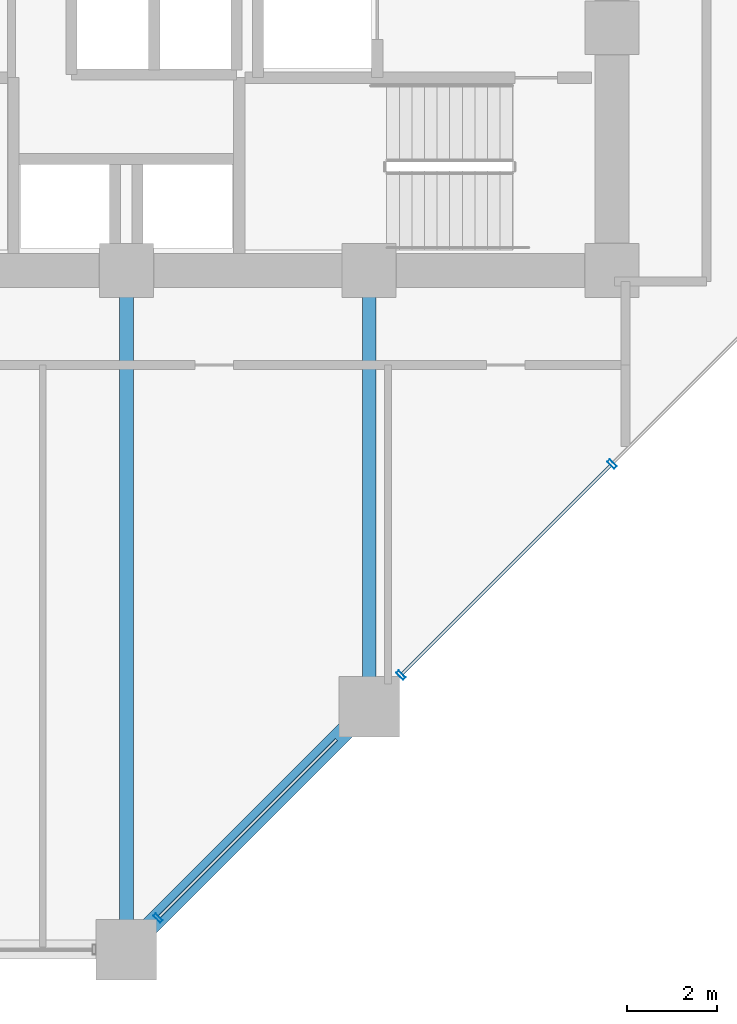
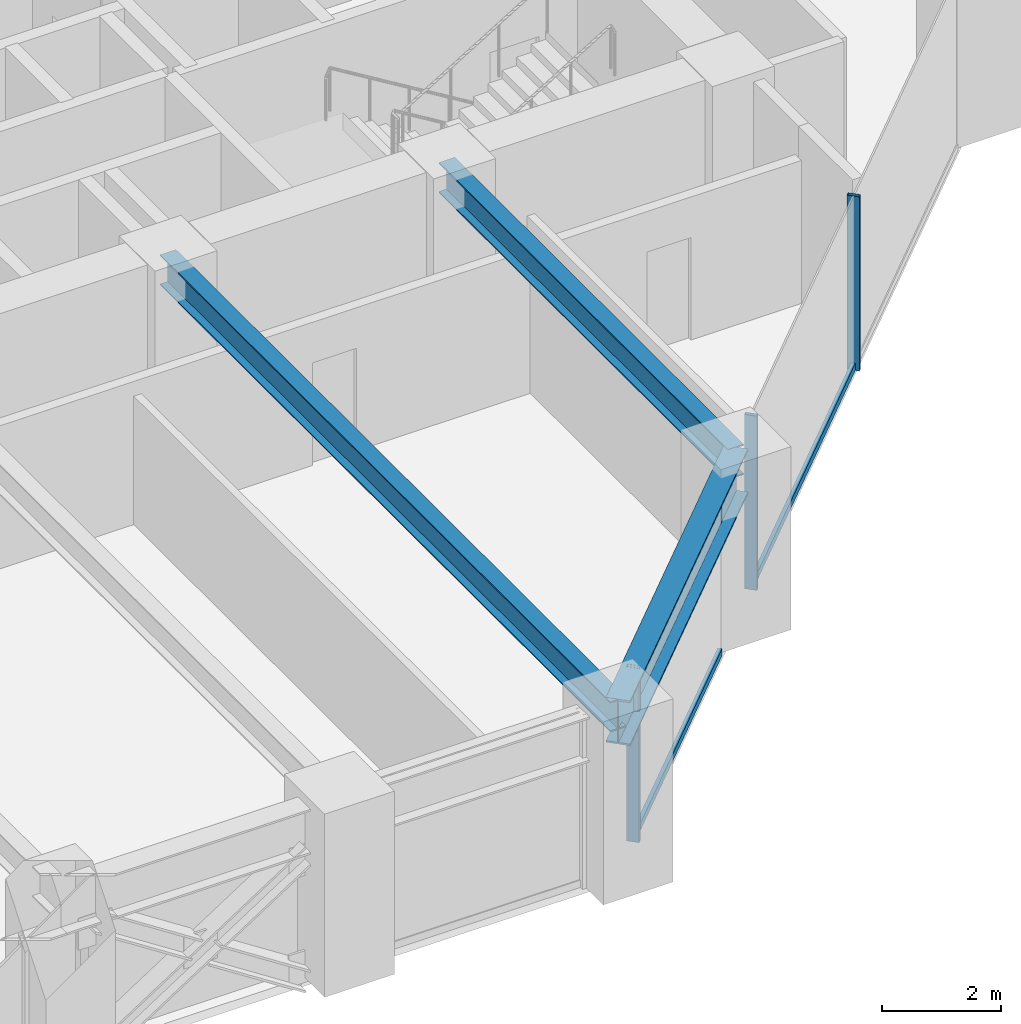
# One storey, part 7 of 25: 5 members, 3 beams, 1 element without a shape of its own.
"""IFC4 building model written with IfcOpenShell, lengths in metres."""

from ifc_helpers import new_model, si_unit, direction, frame, origin, origin_2d, place, context, subcontext, project, spatial, hollow_rectangle, i_section, extrude, material, layer, layer_set, material_profile, profile_set, type_object, element, aggregate, save


model = new_model("IFC4")

# Units and contexts
model_context = context("Model", 3, precision=1e-05, world=origin(), true_north=direction((0.0, 1.0)))
body_context = subcontext(model_context, "Body", "Model", "MODEL_VIEW")
ifc_project = project(units=[si_unit("LENGTHUNIT", "METRE"), si_unit("AREAUNIT", "SQUARE_METRE"), si_unit("VOLUMEUNIT", "CUBIC_METRE"), si_unit("PLANEANGLEUNIT", "RADIAN"), si_unit("MASSUNIT", "GRAM", prefix="KILO")], contexts=[model_context])

# Site, building, storey
site_placement = place(None, origin())
site = spatial("IfcSite", under=ifc_project, at=site_placement, CompositionType="ELEMENT")
building_placement = place(site_placement, origin())
building = spatial("IfcBuilding", under=site, at=building_placement, Name="Surkhivell Harbour Commons", CompositionType="ELEMENT")
storey_placement = place(building_placement, frame((0.0, 0.0, 52.5)))
storey = spatial("IfcBuildingStorey", under=building, at=storey_placement, Name="L13", CompositionType="ELEMENT", Elevation=52.5)

# Beams
ifc_material_1 = material(Name="Steel S355", Category="steel")
ifc_material_profile_1 = material_profile(ifc_material_1, i_section(OverallWidth=0.306884765625, OverallDepth=0.6201171875, WebThickness=0.01416015625, FlangeThickness=0.023681640625, at=origin_2d()), Name="UB610x305x179")
ifc_profile_set_1 = profile_set([ifc_material_profile_1], Name="Steel S355")
beam_type_1 = type_object("IfcBeamType", Name="BM-GRD-610A", PredefinedType="BEAM", material=ifc_profile_set_1)
beam_1_placement = place(storey_placement, frame((0.0, -25.89990234375, 3.260009765625), z_axis=(0.0, 1.0, 0.0), x_axis=(-1.0, 0.0, 0.0)))
element("IfcBeam", 1, at=beam_1_placement, inside=storey, type_object=beam_type_1, Name="L13 Floor Girder (0.0,-25.9)", PredefinedType="BEAM", context=body_context, shape_type="SweptSolid", body=[
    extrude(i_section(OverallWidth=0.306884765625, OverallDepth=0.6201171875, WebThickness=0.01416015625, FlangeThickness=0.023681640625, at=origin_2d()), origin(), (0.0, 0.0, 1.0), 15.099853515625),
])
beam_2_placement = place(storey_placement, frame((5.39990234375, -20.5, 3.260009765625), z_axis=(0.0, 1.0, 0.0), x_axis=(-1.0, 0.0, 0.0)))
element("IfcBeam", 2, at=beam_2_placement, inside=storey, type_object=beam_type_1, Name="L13 Floor Girder (5.4,-20.5)", PredefinedType="BEAM", context=body_context, shape_type="SweptSolid", body=[
    extrude(i_section(OverallWidth=0.306884765625, OverallDepth=0.6201171875, WebThickness=0.01416015625, FlangeThickness=0.023681640625, at=origin_2d()), origin(), (0.0, 0.0, 1.0), 9.699951171875),
])
ifc_material_2 = material(Name="Steel S460", Category="steel")
ifc_material_profile_2 = material_profile(ifc_material_2, i_section(OverallWidth=0.419921875, OverallDepth=0.9208984375, WebThickness=0.021484375, FlangeThickness=0.03662109375, at=origin_2d()), Name="UB914x419x388")
ifc_profile_set_2 = profile_set([ifc_material_profile_2], Name="Steel S460")
beam_type_2 = type_object("IfcBeamType", Name="BM-SPN-914A", PredefinedType="SPANDREL", material=ifc_profile_set_2)
beam_3_placement = place(storey_placement, frame((0.0, -25.89990234375, 3.109619140625), z_axis=(0.707106781187, 0.707106781187, 0.0), x_axis=(-0.707106781187, 0.707106781187, 0.0)))
element("IfcBeam", 3, at=beam_3_placement, inside=storey, type_object=beam_type_2, Name="L13 Tube Spandrel (-0.0,-25.9)", PredefinedType="SPANDREL", context=body_context, shape_type="SweptSolid", body=[
    extrude(i_section(OverallWidth=0.419921875, OverallDepth=0.9208984375, WebThickness=0.021484375, FlangeThickness=0.03662109375, at=origin_2d()), origin(), (0.0, 0.0, 1.0), 7.63671875),
])

# Curtain wall, members
ifc_material_3 = material(Name="Anodised pale-metal aluminium and insulated glazing", Category="aluminium")
ifc_layer = layer(ifc_material_3, 0.219970703125)
ifc_layer_set = layer_set([ifc_layer], Name="Anodised pale-metal aluminium and insulated glazing")
curtain_wall_type = type_object("IfcCurtainWallType", Name="CW-SYS-Z1", PredefinedType="NOTDEFINED", material=ifc_layer_set)
curtain_wall_placement = place(storey_placement, origin())
curtain_wall = element("IfcCurtainWall", 4, at=curtain_wall_placement, inside=storey, type_object=curtain_wall_type, Name="L13 Curtain Wall CW-L13-E01", PredefinedType="NOTDEFINED")
ifc_material_4 = material(Name="Anodised pale-metal aluminium alloy 6063-T6", Category="aluminium")
ifc_material_profile_3 = material_profile(ifc_material_4, hollow_rectangle(XDim=0.074951171875, YDim=0.219970703125, WallThickness=0.00390625, at=origin_2d()), Name="ALU-MULL-75x220")
ifc_profile_set_3 = profile_set([ifc_material_profile_3], Name="Anodised pale-metal aluminium alloy 6063-T6")
member_type_1 = type_object("IfcMemberType", Name="CWM-220", PredefinedType="MULLION", material=ifc_profile_set_3)
member_1_placement = place(storey_placement, frame((0.703369140625, -25.19677734375, 0.0), z_axis=(0.0, 0.0, 1.0), x_axis=(0.707106781187, 0.707106781187, 0.0)))
member_1 = element("IfcMember", 5, at=member_1_placement, type_object=member_type_1, Name="CW-Z1 mullion 1", PredefinedType="MULLION", context=body_context, shape_type="SweptSolid", body=[
    extrude(hollow_rectangle(XDim=0.074951171875, YDim=0.219970703125, WallThickness=0.00390625, at=origin_2d()), origin(), (0.0, 0.0, 1.0), 3.570068359375),
])
member_2_placement = place(storey_placement, frame((6.103271484375, -19.796630859375, 0.0), z_axis=(0.0, 0.0, 1.0), x_axis=(0.707106781187, 0.707106781187, 0.0)))
member_2 = element("IfcMember", 6, at=member_2_placement, type_object=member_type_1, Name="CW-Z1 mullion 2", PredefinedType="MULLION", context=body_context, shape_type="SweptSolid", body=[
    extrude(hollow_rectangle(XDim=0.074951171875, YDim=0.219970703125, WallThickness=0.00390625, at=origin_2d()), origin(), (0.0, 0.0, 1.0), 3.570068359375),
])
member_3_placement = place(storey_placement, frame((10.800048828125, -15.10009765625, 0.0), z_axis=(0.0, 0.0, 1.0), x_axis=(0.707106781187, 0.707106781187, 0.0)))
member_3 = element("IfcMember", 7, at=member_3_placement, type_object=member_type_1, Name="CW-Z1 mullion 3", PredefinedType="MULLION", context=body_context, shape_type="SweptSolid", body=[
    extrude(hollow_rectangle(XDim=0.074951171875, YDim=0.219970703125, WallThickness=0.00390625, at=origin_2d()), origin(), (0.0, 0.0, 1.0), 3.570068359375),
])
ifc_material_profile_4 = material_profile(ifc_material_4, hollow_rectangle(XDim=0.074951171875, YDim=0.14990234375, WallThickness=0.00341796875, at=origin_2d()), Name="ALU-TRAN-75x150")
ifc_profile_set_4 = profile_set([ifc_material_profile_4], Name="Anodised pale-metal aluminium alloy 6063-T6")
member_type_2 = type_object("IfcMemberType", Name="CWT-150", PredefinedType="USERDEFINED", material=ifc_profile_set_4)
member_4_placement = place(storey_placement, frame((0.729736328125, -25.170166015625, 0.074951171875), z_axis=(0.707106781187, 0.707106781187, 0.0), x_axis=(-0.707106781187, 0.707106781187, 0.0)))
member_4 = element("IfcMember", 8, at=member_4_placement, type_object=member_type_2, Name="CW-Z1 transom 1.1", ObjectType="TRANSOM", PredefinedType="USERDEFINED", context=body_context, shape_type="SweptSolid", body=[
    extrude(hollow_rectangle(XDim=0.074951171875, YDim=0.14990234375, WallThickness=0.00341796875, at=origin_2d()), origin(), (0.0, 0.0, 1.0), 5.572509765625),
])
member_5_placement = place(storey_placement, frame((6.1298828125, -19.770263671875, 0.074951171875), z_axis=(0.707088192925, 0.70712536896, 0.0), x_axis=(-0.70712536896, 0.707088192925, 0.0)))
member_5 = element("IfcMember", 9, at=member_5_placement, type_object=member_type_2, Name="CW-Z1 transom 2.1", ObjectType="TRANSOM", PredefinedType="USERDEFINED", context=body_context, shape_type="SweptSolid", body=[
    extrude(hollow_rectangle(XDim=0.074951171875, YDim=0.14990234375, WallThickness=0.00341796875, at=origin_2d()), origin(), (0.0, 0.0, 1.0), 6.567138671875),
])
aggregate(curtain_wall, [member_1, member_4, member_2, member_3, member_5])

save(model, "model.ifc")
